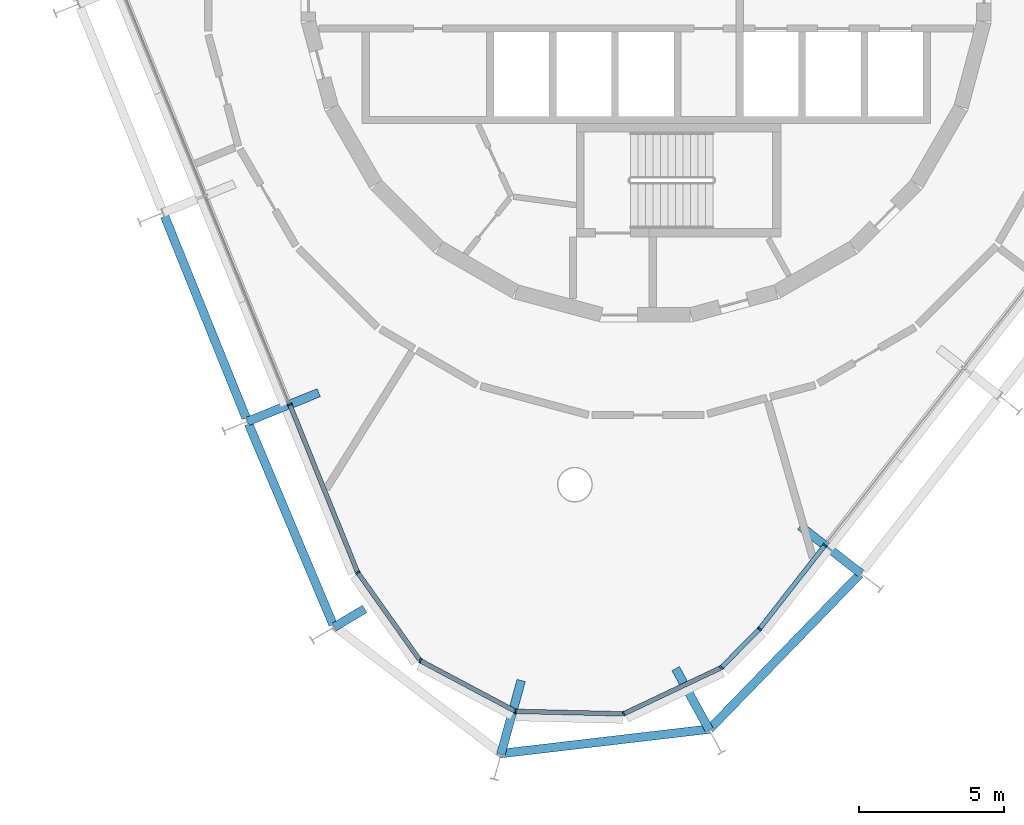
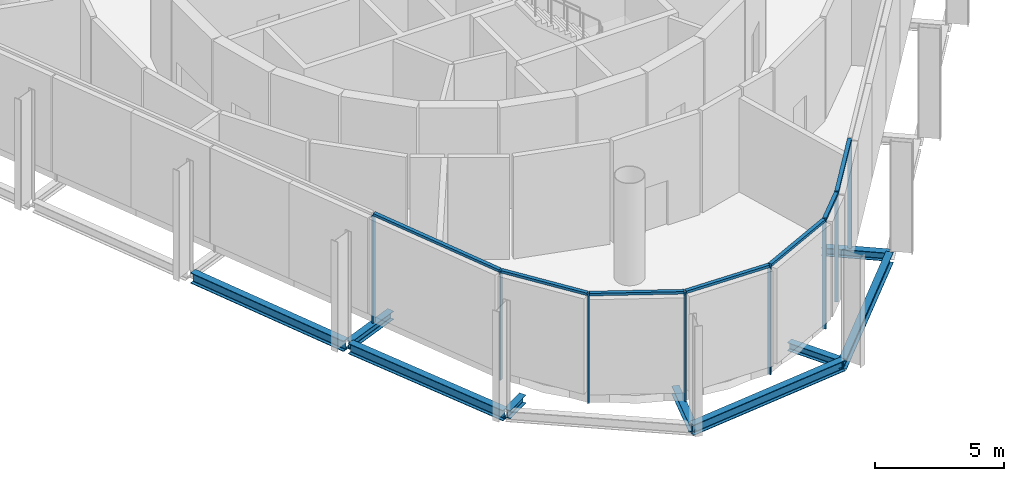
# One storey, part 2 of 12: 15 members, 9 beams, 2 elements without a shape of their own.
"""IFC4 building model written with IfcOpenShell, lengths in metres."""

from ifc_helpers import new_model, si_unit, direction, frame, origin, origin_2d, place, context, subcontext, project, spatial, rectangle, i_section, extrude, material, layer, layer_set, material_profile, profile_set, type_object, element, aggregate, save


model = new_model("IFC4")

# Units and contexts
model_context = context("Model", 3, precision=1e-05, world=origin(), true_north=direction((0.0, 1.0)))
body_context = subcontext(model_context, "Body", "Model", "MODEL_VIEW")
ifc_project = project(units=[si_unit("LENGTHUNIT", "METRE"), si_unit("AREAUNIT", "SQUARE_METRE"), si_unit("VOLUMEUNIT", "CUBIC_METRE"), si_unit("PLANEANGLEUNIT", "RADIAN"), si_unit("MASSUNIT", "GRAM", prefix="KILO")], contexts=[model_context])

# Site, building, storey
site_placement = place(None, origin())
site = spatial("IfcSite", under=ifc_project, at=site_placement, CompositionType="ELEMENT")
building_placement = place(site_placement, origin())
building = spatial("IfcBuilding", under=site, at=building_placement, Name="Spindle Arch Residences", CompositionType="ELEMENT")
storey_placement = place(building_placement, frame((0.0, 0.0, 361.0)))
storey = spatial("IfcBuildingStorey", under=building, at=storey_placement, Name="L93", CompositionType="ELEMENT", Elevation=361.0)

# Curtain wall, members
ifc_material_1 = material(Name="Aluminium bronze unitised frame with tinted glass", Category="aluminium")
ifc_layer = layer(ifc_material_1, 0.159912109375)
ifc_layer_set = layer_set([ifc_layer], Name="CW-F crown plant glazed wall")
curtain_wall_type = type_object("IfcCurtainWallType", Name="CW-F crown plant glazed wall", PredefinedType="NOTDEFINED", material=ifc_layer_set)
curtain_wall_1_placement = place(storey_placement, origin())
curtain_wall_1 = element("IfcCurtainWall", 1, at=curtain_wall_1_placement, inside=storey, type_object=curtain_wall_type, Name="CW-F L93 run 5", PredefinedType="NOTDEFINED")
ifc_material_2 = material(Name="Aluminium bronze anodised mullion", Category="aluminium")
ifc_material_profile_1 = material_profile(ifc_material_2, rectangle(XDim=0.159912109375, YDim=0.06005859375, at=origin_2d()), Name="MU 60x160")
ifc_profile_set_1 = profile_set([ifc_material_profile_1], Name="Aluminium bronze anodised mullion")
member_type_1 = type_object("IfcMemberType", Name="Bronze mullion 60x160", PredefinedType="MULLION", material=ifc_profile_set_1)
member_1_placement = place(storey_placement, frame((-12.292724609375, -14.73779296875, -0.3798828125), z_axis=(0.0, 0.0, 1.0), x_axis=(0.927183854567, 0.374606593416, 0.0)))
member_1 = element("IfcMember", 2, at=member_1_placement, type_object=member_type_1, Name="CW-F mullion 00", PredefinedType="MULLION", context=body_context, shape_type="SweptSolid", body=[
    extrude(rectangle(XDim=0.159912109375, YDim=0.06005859375, at=origin_2d()), origin(), (0.0, 0.0, 1.0), 5.079833984375),
])
member_2_placement = place(storey_placement, frame((-9.951904296875, -20.53173828125, -0.3798828125), z_axis=(0.0, 0.0, 1.0), x_axis=(0.815801266332, 0.578332338584, 0.0)))
member_2 = element("IfcMember", 3, at=member_2_placement, type_object=member_type_1, Name="CW-F mullion 01", PredefinedType="MULLION", context=body_context, shape_type="SweptSolid", body=[
    extrude(rectangle(XDim=0.159912109375, YDim=0.06005859375, at=origin_2d()), origin(), (0.0, 0.0, 1.0), 5.079833984375),
])
member_3_placement = place(storey_placement, frame((-7.79638671875, -23.572021484375, -0.3798828125), z_axis=(0.0, 0.0, 1.0), x_axis=(0.469471563633, 0.882947592408, 0.0)))
member_3 = element("IfcMember", 4, at=member_3_placement, type_object=member_type_1, Name="CW-F mullion 02", PredefinedType="MULLION", context=body_context, shape_type="SweptSolid", body=[
    extrude(rectangle(XDim=0.159912109375, YDim=0.06005859375, at=origin_2d()), origin(), (0.0, 0.0, 1.0), 5.079833984375),
])
member_4_placement = place(storey_placement, frame((-4.505859375, -25.321533203125, -0.3798828125), z_axis=(0.0, 0.0, 1.0), x_axis=(0.023268959422, 0.999729241109, 0.0)))
member_4 = element("IfcMember", 5, at=member_4_placement, type_object=member_type_1, Name="CW-F mullion 03", PredefinedType="MULLION", context=body_context, shape_type="SweptSolid", body=[
    extrude(rectangle(XDim=0.159912109375, YDim=0.06005859375, at=origin_2d()), origin(), (0.0, 0.0, 1.0), 5.079833984375),
])
member_5_placement = place(storey_placement, frame((-0.7802734375, -25.408203125, -0.3798828125), z_axis=(0.0, 0.0, 1.0), x_axis=(-0.427883767902, 0.903833768547, 0.0)))
member_5 = element("IfcMember", 6, at=member_5_placement, type_object=member_type_1, Name="CW-F mullion 04", PredefinedType="MULLION", context=body_context, shape_type="SweptSolid", body=[
    extrude(rectangle(XDim=0.159912109375, YDim=0.06005859375, at=origin_2d()), origin(), (0.0, 0.0, 1.0), 5.079833984375),
])
member_6_placement = place(storey_placement, frame((2.588134765625, -23.813720703125, -0.3798828125), z_axis=(0.0, 0.0, 1.0), x_axis=(-0.711208575748, 0.702981053644, 0.0)))
member_6 = element("IfcMember", 7, at=member_6_placement, type_object=member_type_1, Name="CW-F mullion 05", PredefinedType="MULLION", context=body_context, shape_type="SweptSolid", body=[
    extrude(rectangle(XDim=0.159912109375, YDim=0.06005859375, at=origin_2d()), origin(), (0.0, 0.0, 1.0), 5.079833984375),
])
member_7_placement = place(storey_placement, frame((3.906982421875, -22.479248046875, -0.3798828125), z_axis=(0.0, 0.0, 1.0), x_axis=(-0.788010753607, 0.615661475326, 0.0)))
member_7 = element("IfcMember", 8, at=member_7_placement, type_object=member_type_1, Name="CW-F mullion 06", PredefinedType="MULLION", context=body_context, shape_type="SweptSolid", body=[
    extrude(rectangle(XDim=0.159912109375, YDim=0.06005859375, at=origin_2d()), origin(), (0.0, 0.0, 1.0), 5.079833984375),
])

# Curtain wall, member
curtain_wall_2_placement = place(storey_placement, origin())
curtain_wall_2 = element("IfcCurtainWall", 9, at=curtain_wall_2_placement, inside=storey, type_object=curtain_wall_type, Name="CW-F L93 run 6", PredefinedType="NOTDEFINED")
member_8_placement = place(storey_placement, frame((6.160400390625, -19.594970703125, -0.3798828125), z_axis=(0.0, 0.0, 1.0), x_axis=(-0.788010753607, 0.615661475326, 0.0)))
member_8 = element("IfcMember", 10, at=member_8_placement, type_object=member_type_1, Name="CW-F mullion 18", PredefinedType="MULLION", context=body_context, shape_type="SweptSolid", body=[
    extrude(rectangle(XDim=0.159912109375, YDim=0.06005859375, at=origin_2d()), origin(), (0.0, 0.0, 1.0), 5.079833984375),
])
aggregate(curtain_wall_2, [member_8])

# Member
ifc_material_3 = material(Name="Aluminium bronze anodised transom", Category="aluminium")
ifc_material_profile_2 = material_profile(ifc_material_3, rectangle(XDim=0.159912109375, YDim=0.1201171875, at=origin_2d()), Name="TR 120x160")
ifc_profile_set_2 = profile_set([ifc_material_profile_2], Name="Aluminium bronze anodised transom")
member_type_2 = type_object("IfcMemberType", Name="Bronze transom 120x160", PredefinedType="USERDEFINED", material=ifc_profile_set_2)
member_9_placement = place(storey_placement, frame((-12.28125, -14.765625, 4.760009765625), z_axis=(0.374564798487, -0.927200739719, 0.0), x_axis=(0.927200739719, 0.374564798487, 0.0)))
member_9 = element("IfcMember", 11, at=member_9_placement, type_object=member_type_2, Name="CW-F transom 00", ObjectType="TRANSOM", PredefinedType="USERDEFINED", context=body_context, shape_type="SweptSolid", body=[
    extrude(rectangle(XDim=0.159912109375, YDim=0.1201171875, at=origin_2d()), origin(), (0.0, 0.0, 1.0), 6.188720703125),
])

member_10_placement = place(storey_placement, frame((-9.934326171875, -20.55615234375, 4.760009765625), z_axis=(0.578349828601, -0.815788867145, 0.0), x_axis=(0.815788867145, 0.578349828601, 0.0)))
member_10 = element("IfcMember", 12, at=member_10_placement, type_object=member_type_2, Name="CW-F transom 01", ObjectType="TRANSOM", PredefinedType="USERDEFINED", context=body_context, shape_type="SweptSolid", body=[
    extrude(rectangle(XDim=0.159912109375, YDim=0.1201171875, at=origin_2d()), origin(), (0.0, 0.0, 1.0), 3.666748046875),
])

member_11_placement = place(storey_placement, frame((-7.77001953125, -23.5859375, 4.760009765625), z_axis=(0.882947559001, -0.469471626463, 0.0), x_axis=(0.469471626463, 0.882947559001, 0.0)))
member_11 = element("IfcMember", 13, at=member_11_placement, type_object=member_type_2, Name="CW-F transom 02", ObjectType="TRANSOM", PredefinedType="USERDEFINED", context=body_context, shape_type="SweptSolid", body=[
    extrude(rectangle(XDim=0.159912109375, YDim=0.1201171875, at=origin_2d()), origin(), (0.0, 0.0, 1.0), 3.666748046875),
])

member_12_placement = place(storey_placement, frame((-4.47607421875, -25.322265625, 4.760009765625), z_axis=(0.999729981043, -0.023237147079, 0.0), x_axis=(0.023237147079, 0.999729981043, 0.0)))
member_12 = element("IfcMember", 14, at=member_12_placement, type_object=member_type_2, Name="CW-F transom 03", ObjectType="TRANSOM", PredefinedType="USERDEFINED", context=body_context, shape_type="SweptSolid", body=[
    extrude(rectangle(XDim=0.159912109375, YDim=0.1201171875, at=origin_2d()), origin(), (0.0, 0.0, 1.0), 3.666748046875),
])

member_13_placement = place(storey_placement, frame((-0.753173828125, -25.3955078125, 4.760009765625), z_axis=(0.903821874806, 0.427908890562, 0.0), x_axis=(-0.427908890562, 0.903821874806, 0.0)))
member_13 = element("IfcMember", 15, at=member_13_placement, type_object=member_type_2, Name="CW-F transom 04", ObjectType="TRANSOM", PredefinedType="USERDEFINED", context=body_context, shape_type="SweptSolid", body=[
    extrude(rectangle(XDim=0.159912109375, YDim=0.1201171875, at=origin_2d()), origin(), (0.0, 0.0, 1.0), 3.6669921875),
])

member_14_placement = place(storey_placement, frame((2.609130859375, -23.792236328125, 4.760009765625), z_axis=(0.703062417903, 0.711128143539, 0.0), x_axis=(-0.711128143539, 0.703062417903, 0.0)))
member_14 = element("IfcMember", 16, at=member_14_placement, type_object=member_type_2, Name="CW-F transom 05", ObjectType="TRANSOM", PredefinedType="USERDEFINED", context=body_context, shape_type="SweptSolid", body=[
    extrude(rectangle(XDim=0.159912109375, YDim=0.1201171875, at=origin_2d()), origin(), (0.0, 0.0, 1.0), 1.816162109375),
])

member_15_placement = place(storey_placement, frame((3.925537109375, -22.455810546875, 4.760009765625), z_axis=(0.615647989673, 0.788021289568, 0.0), x_axis=(-0.788021289568, 0.615647989673, 0.0)))
member_15 = element("IfcMember", 17, at=member_15_placement, type_object=member_type_2, Name="CW-F transom 06", ObjectType="TRANSOM", PredefinedType="USERDEFINED", context=body_context, shape_type="SweptSolid", body=[
    extrude(rectangle(XDim=0.159912109375, YDim=0.1201171875, at=origin_2d()), origin(), (0.0, 0.0, 1.0), 3.600341796875),
])

aggregate(curtain_wall_1, [member_1, member_9, member_2, member_10, member_3, member_11, member_4, member_12, member_5, member_13, member_6, member_14, member_7, member_15])

# Beams
ifc_material_4 = material(Name="Steel S460ML, intumescent coating R 120", Category="steel")
ifc_material_profile_3 = material_profile(ifc_material_4, i_section(OverallWidth=0.300048828125, OverallDepth=0.5, WebThickness=0.014404296875, FlangeThickness=0.028076171875, FilletRadius=0.027099609375, at=origin_2d()), Name="HEB 500")
ifc_profile_set_3 = profile_set([ifc_material_profile_3], Name="Steel S460ML, intumescent coating R 120")
beam_type_1 = type_object("IfcBeamType", Name="Exoskeleton edge beam HEB 500", PredefinedType="BEAM", material=ifc_profile_set_3)
beam_1_placement = place(storey_placement, frame((-16.608642578125, -8.24658203125, -0.6298828125), z_axis=(0.374596427458, -0.927187961816, 0.0), x_axis=(0.927187961816, 0.374596427458, 0.0)))
element("IfcBeam", 18, at=beam_1_placement, inside=storey, type_object=beam_type_1, Name="Exoskeleton edge beam 14", PredefinedType="BEAM", context=body_context, shape_type="SweptSolid", body=[
    extrude(i_section(OverallWidth=0.300048828125, OverallDepth=0.5, WebThickness=0.014404296875, FlangeThickness=0.028076171875, FilletRadius=0.027099609375, at=origin_2d()), origin(), (0.0, 0.0, 1.0), 7.50537109375),
])
beam_2_placement = place(storey_placement, frame((-13.711669921875, -15.4150390625, -0.6298828125), z_axis=(0.388148671876, -0.92159677111, 0.0), x_axis=(0.92159677111, 0.388148671876, 0.0)))
element("IfcBeam", 19, at=beam_2_placement, inside=storey, type_object=beam_type_1, Name="Exoskeleton edge beam 15", PredefinedType="BEAM", context=body_context, shape_type="SweptSolid", body=[
    extrude(i_section(OverallWidth=0.300048828125, OverallDepth=0.5, WebThickness=0.014404296875, FlangeThickness=0.028076171875, FilletRadius=0.027099609375, at=origin_2d()), origin(), (0.0, 0.0, 1.0), 7.500732421875),
])
beam_3_placement = place(storey_placement, frame((-5.0556640625, -26.78271484375, -0.6298828125), z_axis=(0.993205848316, 0.116370713117, 0.0), x_axis=(-0.116370713117, 0.993205848316, 0.0)))
element("IfcBeam", 20, at=beam_3_placement, inside=storey, type_object=beam_type_1, Name="Exoskeleton edge beam 17", PredefinedType="BEAM", context=body_context, shape_type="SweptSolid", body=[
    extrude(i_section(OverallWidth=0.300048828125, OverallDepth=0.5, WebThickness=0.014404296875, FlangeThickness=0.028076171875, FilletRadius=0.027099609375, at=origin_2d()), origin(), (0.0, 0.0, 1.0), 7.315673828125),
])
beam_4_placement = place(storey_placement, frame((2.19091796875, -25.927001953125, -0.6298828125), z_axis=(0.696374951776, 0.717678149688, 0.0), x_axis=(-0.717678149688, 0.696374951776, 0.0)))
element("IfcBeam", 21, at=beam_4_placement, inside=storey, type_object=beam_type_1, Name="Exoskeleton edge beam 18", PredefinedType="BEAM", context=body_context, shape_type="SweptSolid", body=[
    extrude(i_section(OverallWidth=0.300048828125, OverallDepth=0.5, WebThickness=0.014404296875, FlangeThickness=0.028076171875, FilletRadius=0.027099609375, at=origin_2d()), origin(), (0.0, 0.0, 1.0), 7.437744140625),
])
ifc_material_5 = material(Name="Steel S460ML, intumescent coating R 120", Category="steel")
ifc_material_profile_4 = material_profile(ifc_material_5, i_section(OverallWidth=0.300048828125, OverallDepth=0.389892578125, WebThickness=0.010986328125, FlangeThickness=0.01904296875, FilletRadius=0.027099609375, at=origin_2d()), Name="HEA 400")
ifc_profile_set_4 = profile_set([ifc_material_profile_4], Name="Steel S460ML, intumescent coating R 120")
beam_type_2 = type_object("IfcBeamType", Name="Floor outrigger HEA 400", PredefinedType="BEAM", material=ifc_profile_set_4)
beam_5_placement = place(storey_placement, frame((-13.748291015625, -15.325927734375, -0.574951171875), z_axis=(0.927187692393, 0.374597094323, 0.0), x_axis=(-0.374597094323, 0.927187692393, 0.0)))
element("IfcBeam", 22, at=beam_5_placement, inside=storey, type_object=beam_type_2, Name="Floor outrigger 15", PredefinedType="BEAM", context=body_context, shape_type="SweptSolid", body=[
    extrude(i_section(OverallWidth=0.300048828125, OverallDepth=0.389892578125, WebThickness=0.010986328125, FlangeThickness=0.01904296875, FilletRadius=0.027099609375, at=origin_2d()), origin(), (0.0, 0.0, 1.0), 2.64990234375),
])
beam_6_placement = place(storey_placement, frame((-10.765869140625, -22.417724609375, -0.574951171875), z_axis=(0.860752508727, 0.509023691709, 0.0), x_axis=(-0.509023691709, 0.860752508727, 0.0)))
element("IfcBeam", 23, at=beam_6_placement, inside=storey, type_object=beam_type_2, Name="Floor outrigger 16", PredefinedType="BEAM", context=body_context, shape_type="SweptSolid", body=[
    extrude(i_section(OverallWidth=0.300048828125, OverallDepth=0.389892578125, WebThickness=0.010986328125, FlangeThickness=0.01904296875, FilletRadius=0.027099609375, at=origin_2d()), origin(), (0.0, 0.0, 1.0), 1.229248046875),
])
beam_7_placement = place(storey_placement, frame((-5.01318359375, -26.810791015625, -0.574951171875), z_axis=(0.2645204188, 0.964380084841, 0.0), x_axis=(-0.964380084841, 0.2645204188, 0.0)))
element("IfcBeam", 24, at=beam_7_placement, inside=storey, type_object=beam_type_2, Name="Floor outrigger 17", PredefinedType="BEAM", context=body_context, shape_type="SweptSolid", body=[
    extrude(i_section(OverallWidth=0.300048828125, OverallDepth=0.389892578125, WebThickness=0.010986328125, FlangeThickness=0.01904296875, FilletRadius=0.027099609375, at=origin_2d()), origin(), (0.0, 0.0, 1.0), 2.64990234375),
])
beam_8_placement = place(storey_placement, frame((2.175537109375, -25.968505859375, -0.574951171875), z_axis=(-0.48032201602, 0.877092219169, 0.0), x_axis=(-0.877092219169, -0.48032201602, 0.0)))
element("IfcBeam", 25, at=beam_8_placement, inside=storey, type_object=beam_type_2, Name="Floor outrigger 18", PredefinedType="BEAM", context=body_context, shape_type="SweptSolid", body=[
    extrude(i_section(OverallWidth=0.300048828125, OverallDepth=0.389892578125, WebThickness=0.010986328125, FlangeThickness=0.01904296875, FilletRadius=0.027099609375, at=origin_2d()), origin(), (0.0, 0.0, 1.0), 2.41943359375),
])
beam_9_placement = place(storey_placement, frame((7.397705078125, -20.561767578125, -0.574951171875), z_axis=(-0.788015993799, 0.615654768127, 0.0), x_axis=(-0.615654768127, -0.788015993799, 0.0)))
element("IfcBeam", 26, at=beam_9_placement, inside=storey, type_object=beam_type_2, Name="Floor outrigger 19", PredefinedType="BEAM", context=body_context, shape_type="SweptSolid", body=[
    extrude(i_section(OverallWidth=0.300048828125, OverallDepth=0.389892578125, WebThickness=0.010986328125, FlangeThickness=0.01904296875, FilletRadius=0.027099609375, at=origin_2d()), origin(), (0.0, 0.0, 1.0), 2.650146484375),
])

save(model, "model.ifc")
